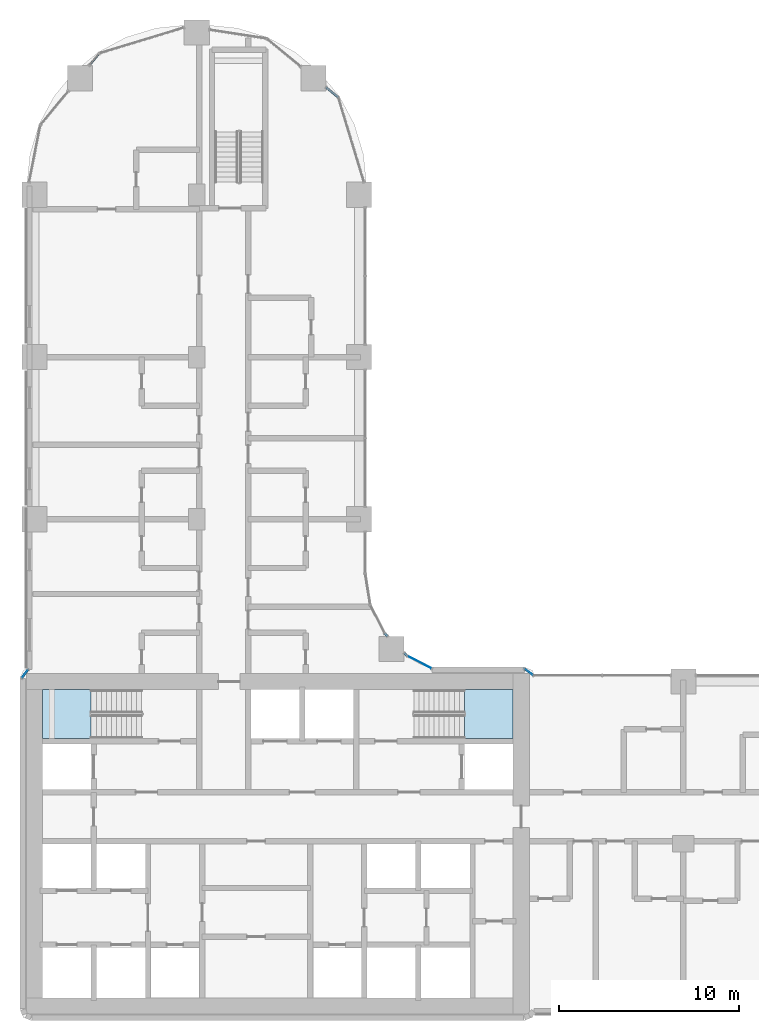
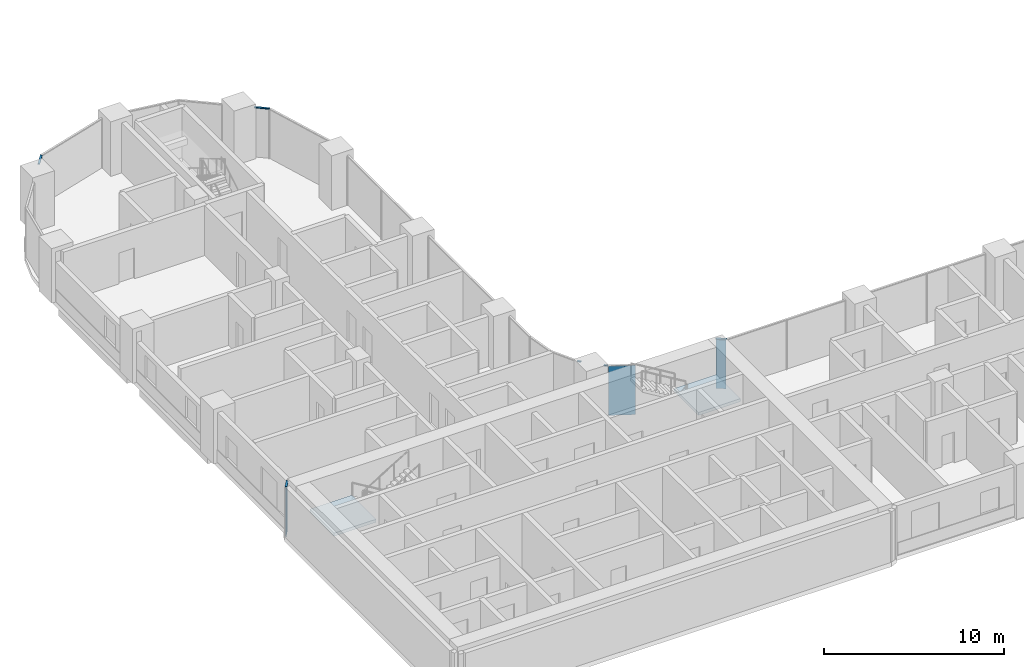
# One storey, part 11 of 31: 6 members, 3 plates, 2 slabs, 8 elements without a shape of their own.
"""IFC4 building model written with IfcOpenShell, lengths in metres."""

import ifcopenshell
import ifcopenshell.guid

model = None  # the IFC model being written
_history = None  # IfcOwnerHistory: only IFC2X3 demands one
_inside = {}  # id of a spatial element -> (the spatial element, [elements in it])
_under = {}  # id of a project, library or spatial element -> (it, [spatial elements below it])
_declared = {}  # id of a project -> (the project, [libraries it declares])
_typed = {}  # id of a type object -> (the type object, [elements of that type])
_made_of = {}  # id of a material, layer set ... -> (it, [elements and type objects made of it])


def new_model(schema):
    """Start an empty IFC model of exactly this schema.

    Asked for "IFC4X3", IfcOpenShell would pick the latest addendum, in which some entities
    have other attributes; the version numbers below select the first issue.
    IFC2X3 requires an IfcOwnerHistory on every rooted entity: one is made here for all.
    """
    global model, _history
    if schema == "IFC4X3":
        model = ifcopenshell.file(schema_version=(4, 3, 0, 0))
    else:
        model = ifcopenshell.file(schema=schema)
    _inside.clear()
    _under.clear()
    _declared.clear()
    _typed.clear()
    _made_of.clear()
    _history = None
    if model.schema == "IFC2X3":
        org = make("IfcOrganization", Name="unknown")
        user = make(
            "IfcPersonAndOrganization",
            ThePerson=make("IfcPerson", FamilyName="unknown"),
            TheOrganization=org,
        )
        app = make(
            "IfcApplication",
            ApplicationDeveloper=org,
            Version="unknown",
            ApplicationFullName="unknown",
            ApplicationIdentifier="unknown",
        )
        _history = make(
            "IfcOwnerHistory",
            OwningUser=user,
            OwningApplication=app,
            ChangeAction="ADDED",
            CreationDate=0,
        )
    return model


def make(cls, **values):
    """One entity of the class cls with the attributes given. An attribute that is None is left unset."""
    return model.create_entity(
        cls, **{name: value for name, value in values.items() if value is not None}
    )


def rooted(cls, **values):
    """An entity with a GlobalId (a new one), such as an element, a storey or a relation."""
    return make(cls, GlobalId=ifcopenshell.guid.new(), OwnerHistory=_history, **values)


def si_unit(unit_type, name, prefix=None):
    """IfcSIUnit, for example si_unit("LENGTHUNIT", "METRE", prefix="MILLI")."""
    return make("IfcSIUnit", UnitType=unit_type, Prefix=prefix, Name=name)


def assignment(units):
    """IfcUnitAssignment: the units of a project."""
    return None if units is None else make("IfcUnitAssignment", Units=units)


def point(xyz):
    """IfcCartesianPoint."""
    return None if xyz is None else make("IfcCartesianPoint", Coordinates=xyz)


def direction(xyz):
    """IfcDirection."""
    return None if xyz is None else make("IfcDirection", DirectionRatios=xyz)


def frame(location, z_axis=None, x_axis=None):
    """IfcAxis2Placement3D, a coordinate frame: its origin and axes. An axis left out is left unset."""
    return make(
        "IfcAxis2Placement3D",
        Location=point(location),
        Axis=direction(z_axis),
        RefDirection=direction(x_axis),
    )


def frame_2d(location, x_axis=None):
    """IfcAxis2Placement2D, a coordinate frame in the plane: its origin and x axis."""
    return make(
        "IfcAxis2Placement2D", Location=point(location), RefDirection=direction(x_axis)
    )


def origin():
    """The frame at (0, 0, 0) with its axes left unset."""
    return frame((0.0, 0.0, 0.0))


def origin_2d():
    """The frame at (0, 0) in the plane with its x axis left unset."""
    return frame_2d((0.0, 0.0))


def place(relative_to, where):
    """IfcLocalPlacement: puts the frame where relative to a parent placement (None: the world)."""
    return make(
        "IfcLocalPlacement", PlacementRelTo=relative_to, RelativePlacement=where
    )


def context(
    kind, dimensions, precision=None, world=None, true_north=None, identifier=None
):
    """IfcGeometricRepresentationContext, for example the 3D "Model" context."""
    return make(
        "IfcGeometricRepresentationContext",
        ContextIdentifier=identifier,
        ContextType=kind,
        CoordinateSpaceDimension=dimensions,
        Precision=precision,
        WorldCoordinateSystem=world,
        TrueNorth=true_north,
    )


def subcontext(parent, identifier, kind, view, scale=None):
    """IfcGeometricRepresentationSubContext, for example "Body" below "Model"."""
    return make(
        "IfcGeometricRepresentationSubContext",
        ContextIdentifier=identifier,
        ContextType=kind,
        ParentContext=parent,
        TargetScale=scale,
        TargetView=view,
    )


def project(units=None, contexts=None):
    """IfcProject with its units and contexts."""
    return rooted(
        "IfcProject",
        Name="project",
        RepresentationContexts=contexts,
        UnitsInContext=assignment(units),
    )


def spatial(cls, under=None, at=None, **own):
    """A site, building, storey or space (cls), placed at a placement, below another one or the project."""
    s = rooted(cls, ObjectPlacement=at, **own)
    if under is not None:
        _under.setdefault(under.id(), (under, []))[1].append(s)
    return s


def polyline(points):
    """IfcPolyline through the points."""
    return make("IfcPolyline", Points=[point(p) for p in points])


def profile(cls, at=None, kind="AREA", **sizes):
    """A parametric profile (cls). Its sizes go by their IFC names, for example OverallWidth=200.0."""
    return make(cls, ProfileType=kind, Position=at, **sizes)


def rectangle(**sizes):
    """IfcRectangleProfileDef."""
    return profile("IfcRectangleProfileDef", **sizes)


def outline(outer, holes=None, kind="AREA"):
    """IfcArbitraryClosedProfileDef: a profile drawn as a closed curve; with holes, ...WithVoids."""
    if holes is None:
        return make("IfcArbitraryClosedProfileDef", ProfileType=kind, OuterCurve=outer)
    return make(
        "IfcArbitraryProfileDefWithVoids",
        ProfileType=kind,
        OuterCurve=outer,
        InnerCurves=holes,
    )


def extrude(swept, where, along, depth):
    """IfcExtrudedAreaSolid: the profile swept, set in the frame where, extruded along a direction by depth."""
    return make(
        "IfcExtrudedAreaSolid",
        SweptArea=swept,
        Position=where,
        ExtrudedDirection=direction(along),
        Depth=depth,
    )


def shape(context_of_items, identifier, shape_type, items):
    """IfcShapeRepresentation: the items that make up one representation, for example the "Body"."""
    return make(
        "IfcShapeRepresentation",
        ContextOfItems=context_of_items,
        RepresentationIdentifier=identifier,
        RepresentationType=shape_type,
        Items=items,
    )


def material(Name=None, Category=None):
    """IfcMaterial."""
    return make("IfcMaterial", Name=Name, Category=Category)


def layer(
    of_material, thickness, ventilated=None, Name=None, Category=None, Priority=None
):
    """IfcMaterialLayer: one layer of a wall or slab, of a material (None: an air gap)."""
    return make(
        "IfcMaterialLayer",
        Material=of_material,
        LayerThickness=thickness,
        IsVentilated=ventilated,
        Name=Name,
        Category=Category,
        Priority=Priority,
    )


def layer_set(layers, Name=None):
    """IfcMaterialLayerSet."""
    return make("IfcMaterialLayerSet", MaterialLayers=layers, LayerSetName=Name)


def material_profile(
    of_material, cross_section, Name=None, Category=None, Priority=None
):
    """IfcMaterialProfile: a cross section and its material."""
    return make(
        "IfcMaterialProfile",
        Name=Name,
        Material=of_material,
        Profile=cross_section,
        Priority=Priority,
        Category=Category,
    )


def profile_set(profiles, Name=None, composite=None):
    """IfcMaterialProfileSet."""
    return make(
        "IfcMaterialProfileSet",
        Name=Name,
        MaterialProfiles=profiles,
        CompositeProfile=composite,
    )


def made_of(thing, what):
    """Note that an element or type object is made of a material, layer set ...; save() writes the relation."""
    if what is not None:
        _made_of.setdefault(what.id(), (what, []))[1].append(thing)
    return thing


def type_object(cls, material=None, **own):
    """A type object (cls), such as IfcWallType, which elements share."""
    return made_of(rooted(cls, **own), material)


def element(
    cls,
    number,
    at=None,
    inside=None,
    cuts=None,
    type_object=None,
    material=None,
    context=None,
    identifier="Body",
    shape_type=None,
    held_by="IfcProductDefinitionShape",
    body=None,
    shapes=None,
    **own,
):
    """One element of the class cls, such as IfcWall. Its Tag is "e" and its number.

    at: its placement. inside: the storey or other place that contains it. cuts: it is an
    opening in that element (IfcRelVoidsElement). A single representation is given by context,
    identifier, shape_type and body (its items); several are given by shapes. held_by: the class
    of the entity that holds the representations. save() writes the other relations.
    """
    e = rooted(cls, Tag="e%d" % number, ObjectPlacement=at, **own)
    if body is not None:
        shapes = [shape(context, identifier, shape_type, body)]
    if shapes is not None:
        e.Representation = make(held_by, Representations=shapes)
    if inside is not None:
        _inside.setdefault(inside.id(), (inside, []))[1].append(e)
    if cuts is not None:
        rooted(
            "IfcRelVoidsElement", RelatingBuildingElement=cuts, RelatedOpeningElement=e
        )
    if type_object is not None:
        _typed.setdefault(type_object.id(), (type_object, []))[1].append(e)
    return made_of(e, material)


def aggregate(whole, parts):
    """IfcRelAggregates: a whole, such as a stair, and the parts it consists of."""
    return rooted("IfcRelAggregates", RelatingObject=whole, RelatedObjects=parts)


def save(model, path):
    """Write the relations noted so far, then the file.

    IfcRelAggregates (storeys below a building ...), IfcRelContainedInSpatialStructure (elements
    in a storey), IfcRelDefinesByType, IfcRelAssociatesMaterial and IfcRelDeclares: one each for
    every whole, place, type object, material and project.
    """
    for whole, parts in _under.values():
        aggregate(whole, parts)
    for where, things in _inside.values():
        rooted(
            "IfcRelContainedInSpatialStructure",
            RelatedElements=things,
            RelatingStructure=where,
        )
    for kind, things in _typed.values():
        rooted("IfcRelDefinesByType", RelatedObjects=things, RelatingType=kind)
    for what, things in _made_of.values():
        rooted("IfcRelAssociatesMaterial", RelatedObjects=things, RelatingMaterial=what)
    for by, libraries in _declared.values():
        rooted("IfcRelDeclares", RelatingContext=by, RelatedDefinitions=libraries)
    model.write(path)


model = new_model("IFC4")

# Units and contexts
model_context = context("Model", 3, precision=1e-05, world=origin(), true_north=direction((0.0, 1.0)))
body_context = subcontext(model_context, "Body", "Model", "MODEL_VIEW")
ifc_project = project(units=[si_unit("LENGTHUNIT", "METRE"), si_unit("AREAUNIT", "SQUARE_METRE"), si_unit("VOLUMEUNIT", "CUBIC_METRE"), si_unit("PLANEANGLEUNIT", "RADIAN"), si_unit("MASSUNIT", "GRAM", prefix="KILO")], contexts=[model_context])

# Site, building, storey
site_placement = place(None, origin())
site = spatial("IfcSite", under=ifc_project, at=site_placement, CompositionType="ELEMENT")
building_placement = place(site_placement, origin())
building = spatial("IfcBuilding", under=site, at=building_placement, Name="Ogive Portal Towers", CompositionType="ELEMENT")
storey_placement = place(building_placement, frame((0.0, 0.0, 40.89990234375)))
storey = spatial("IfcBuildingStorey", under=building, at=storey_placement, Name="L08", CompositionType="ELEMENT", Elevation=40.89990234375)

# Curtain wall, member
ifc_material_1 = material(Name="Glass, clear low-iron insulated glazing", Category="glass")
curtain_wall_type = type_object("IfcCurtainWallType", Name="CW FRONT RIBBON 4500", PredefinedType="NOTDEFINED", material=ifc_material_1)
curtain_wall_1_placement = place(storey_placement, origin())
curtain_wall_1 = element("IfcCurtainWall", 1, at=curtain_wall_1_placement, inside=storey, type_object=curtain_wall_type, Name="A:L08:f00:cwa", PredefinedType="NOTDEFINED")
ifc_material_2 = material(Name="Aluminium 6063 anodised", Category="aluminium")
ifc_material_profile = material_profile(ifc_material_2, rectangle(XDim=0.1201171875, YDim=0.06005859375, at=origin_2d()), Name="AL 120x60")
ifc_profile_set = profile_set([ifc_material_profile], Name="Aluminium 6063 anodised")
member_type = type_object("IfcMemberType", Name="CW TRANSOM 60x120", PredefinedType="USERDEFINED", material=ifc_profile_set)
member_1_placement = place(storey_placement, frame((59.180419921875, 39.844970703125, 3.3701171875), z_axis=(-0.803886334656, 0.594782952809, 0.0), x_axis=(-0.594782952809, -0.803886334656, 0.0)))
member_1 = element("IfcMember", 2, at=member_1_placement, type_object=member_type, Name="transom", ObjectType="TRANSOM", PredefinedType="USERDEFINED", context=body_context, shape_type="SweptSolid", body=[
    extrude(rectangle(XDim=0.1201171875, YDim=0.06005859375, at=origin_2d()), origin(), (0.0, 0.0, 1.0), 0.63037109375),
])

curtain_wall_2_placement = place(storey_placement, origin())
curtain_wall_2 = element("IfcCurtainWall", 3, at=curtain_wall_2_placement, inside=storey, type_object=curtain_wall_type, Name="A:L08:f02:cwa~0", PredefinedType="NOTDEFINED")
member_2_placement = place(storey_placement, frame((52.175537109375, 40.92431640625, 3.3701171875), z_axis=(-0.707628438503, 0.706584738741, 0.0), x_axis=(-0.706584738741, -0.707628438503, 0.0)))
member_2 = element("IfcMember", 4, at=member_2_placement, type_object=member_type, Name="transom", ObjectType="TRANSOM", PredefinedType="USERDEFINED", context=body_context, shape_type="SweptSolid", body=[
    extrude(rectangle(XDim=0.1201171875, YDim=0.06005859375, at=origin_2d()), origin(), (0.0, 0.0, 1.0), 0.23388671875),
])

curtain_wall_3_placement = place(storey_placement, origin())
curtain_wall_3 = element("IfcCurtainWall", 5, at=curtain_wall_3_placement, inside=storey, type_object=curtain_wall_type, Name="A:L08:f02:cwa~1", PredefinedType="NOTDEFINED")
member_3_placement = place(storey_placement, frame((51.089599609375, 42.010009765625, 3.3701171875), z_axis=(-0.706584738741, 0.707628438503, 0.0), x_axis=(-0.707628438503, -0.706584738741, 0.0)))
member_3 = element("IfcMember", 6, at=member_3_placement, type_object=member_type, Name="transom", ObjectType="TRANSOM", PredefinedType="USERDEFINED", context=body_context, shape_type="SweptSolid", body=[
    extrude(rectangle(XDim=0.1201171875, YDim=0.06005859375, at=origin_2d()), origin(), (0.0, 0.0, 1.0), 0.23388671875),
])
aggregate(curtain_wall_3, [member_3])

curtain_wall_4_placement = place(storey_placement, origin())
curtain_wall_4 = element("IfcCurtainWall", 7, at=curtain_wall_4_placement, inside=storey, type_object=curtain_wall_type, Name="A:L08:f07:cwa~0", PredefinedType="NOTDEFINED")
member_4_placement = place(storey_placement, frame((48.351318359375, 71.912109375, 3.3701171875), z_axis=(-0.772989395532, 0.634418942337, 0.0), x_axis=(-0.634418942337, -0.772989395532, 0.0)))
member_4 = element("IfcMember", 8, at=member_4_placement, type_object=member_type, Name="transom", ObjectType="TRANSOM", PredefinedType="USERDEFINED", context=body_context, shape_type="SweptSolid", body=[
    extrude(rectangle(XDim=0.1201171875, YDim=0.06005859375, at=origin_2d()), origin(), (0.0, 0.0, 1.0), 0.87744140625),
])
aggregate(curtain_wall_4, [member_4])

curtain_wall_5_placement = place(storey_placement, origin())
curtain_wall_5 = element("IfcCurtainWall", 9, at=curtain_wall_5_placement, inside=storey, type_object=curtain_wall_type, Name="A:L08:f07:cwa~2", PredefinedType="NOTDEFINED")
member_5_placement = place(storey_placement, frame((35.087890625, 74.351318359375, 3.3701171875), z_axis=(-0.634418942337, -0.772989395532, 0.0), x_axis=(0.772989395532, -0.634418942337, 0.0)))
member_5 = element("IfcMember", 10, at=member_5_placement, type_object=member_type, Name="transom", ObjectType="TRANSOM", PredefinedType="USERDEFINED", context=body_context, shape_type="SweptSolid", body=[
    extrude(rectangle(XDim=0.1201171875, YDim=0.06005859375, at=origin_2d()), origin(), (0.0, 0.0, 1.0), 0.87744140625),
])
aggregate(curtain_wall_5, [member_5])

curtain_wall_6_placement = place(storey_placement, origin())
curtain_wall_6 = element("IfcCurtainWall", 11, at=curtain_wall_6_placement, inside=storey, type_object=curtain_wall_type, Name="A:L08:f14:cwa", PredefinedType="NOTDEFINED")
member_6_placement = place(storey_placement, frame((31.155029296875, 40.180419921875, 3.3701171875), z_axis=(-0.594782952809, -0.803886334656, 0.0), x_axis=(0.803886334656, -0.594782952809, 0.0)))
member_6 = element("IfcMember", 12, at=member_6_placement, type_object=member_type, Name="transom", ObjectType="TRANSOM", PredefinedType="USERDEFINED", context=body_context, shape_type="SweptSolid", body=[
    extrude(rectangle(XDim=0.1201171875, YDim=0.06005859375, at=origin_2d()), origin(), (0.0, 0.0, 1.0), 0.63037109375),
])

# Plate
ifc_layer_1 = layer(ifc_material_1, 0.028076171875)
ifc_layer_set_1 = layer_set([ifc_layer_1], Name="CW PANEL IGU 28")
plate_type = type_object("IfcPlateType", Name="CW PANEL IGU 28", PredefinedType="CURTAIN_PANEL", material=ifc_layer_set_1)
plate_1_placement = place(storey_placement, frame((58.927001953125, 40.032470703125, 0.0), z_axis=(0.0, 0.0, 1.0), x_axis=(-0.803867261991, 0.594808729844, 0.0)))
plate_1 = element("IfcPlate", 13, at=plate_1_placement, type_object=plate_type, Name="panel", PredefinedType="CURTAIN_PANEL", context=body_context, shape_type="SweptSolid", body=[
    extrude(rectangle(XDim=0.570556640625, YDim=0.028076171875, at=origin_2d()), origin(), (0.0, 0.0, 1.0), 3.340087890625),
])

aggregate(curtain_wall_1, [member_1, plate_1])

plate_2_placement = place(storey_placement, frame((52.866455078125, 40.572021484375, 0.0), z_axis=(0.0, 0.0, 1.0), x_axis=(-0.891006524188, 0.45399049974, 0.0)))
plate_2 = element("IfcPlate", 14, at=plate_2_placement, type_object=plate_type, Name="panel", PredefinedType="CURTAIN_PANEL", context=body_context, shape_type="SweptSolid", body=[
    extrude(rectangle(XDim=1.4912109375, YDim=0.028076171875, at=origin_2d()), origin(), (0.0, 0.0, 1.0), 3.340087890625),
])

aggregate(curtain_wall_2, [member_2, plate_2])

plate_3_placement = place(storey_placement, frame((30.967529296875, 39.927001953125, 0.0), z_axis=(0.0, 0.0, 1.0), x_axis=(-0.594808729844, -0.803867261991, 0.0)))
plate_3 = element("IfcPlate", 15, at=plate_3_placement, type_object=plate_type, Name="panel", PredefinedType="CURTAIN_PANEL", context=body_context, shape_type="SweptSolid", body=[
    extrude(rectangle(XDim=0.570556640625, YDim=0.028076171875, at=origin_2d()), origin(), (0.0, 0.0, 1.0), 3.340087890625),
])

aggregate(curtain_wall_6, [member_6, plate_3])

# Stair, slab
ifc_material_3 = material(Name="Concrete C40/50", Category="concrete")
stair_type = type_object("IfcStairType", Name="INT-STAIR", PredefinedType="HALF_TURN_STAIR", material=ifc_material_3)
stair_1_placement = place(storey_placement, origin())
stair_1 = element("IfcStair", 16, at=stair_1_placement, inside=storey, type_object=stair_type, Name="L08 Exit Stair ST-A1", PredefinedType="HALF_TURN_STAIR")
ifc_layer_2 = layer(ifc_material_3, 0.199951171875)
ifc_layer_set_2 = layer_set([ifc_layer_2], Name="INT-LANDING")
slab_type = type_object("IfcSlabType", Name="INT-LANDING", PredefinedType="LANDING", material=ifc_layer_set_2)
slab_1_placement = place(storey_placement, frame((0.0, 0.0, 1.650146484375)))
slab_1 = element("IfcSlab", 17, at=slab_1_placement, type_object=slab_type, Name="ST-A1 landing 1", PredefinedType="LANDING", context=body_context, shape_type="SweptSolid", body=[
    extrude(outline(polyline([(34.64990234375, 39.050048828125), (31.949951171875, 39.050048828125), (31.949951171875, 36.35009765625), (34.64990234375, 36.35009765625), (34.64990234375, 39.050048828125)])), origin(), (0.0, 0.0, 1.0), 0.199951171875),
])
aggregate(stair_1, [slab_1])

stair_2_placement = place(storey_placement, origin())
stair_2 = element("IfcStair", 18, at=stair_2_placement, inside=storey, type_object=stair_type, Name="L08 Exit Stair ST-A2", PredefinedType="HALF_TURN_STAIR")
slab_2_placement = place(storey_placement, frame((0.0, 0.0, 1.650146484375)))
slab_2 = element("IfcSlab", 19, at=slab_2_placement, type_object=slab_type, Name="ST-A2 landing 1", PredefinedType="LANDING", context=body_context, shape_type="SweptSolid", body=[
    extrude(outline(polyline([(55.35009765625, 36.35009765625), (58.050048828125, 36.35009765625), (58.050048828125, 39.050048828125), (55.35009765625, 39.050048828125), (55.35009765625, 36.35009765625)])), origin(), (0.0, 0.0, 1.0), 0.199951171875),
])
aggregate(stair_2, [slab_2])

save(model, "model.ifc")
